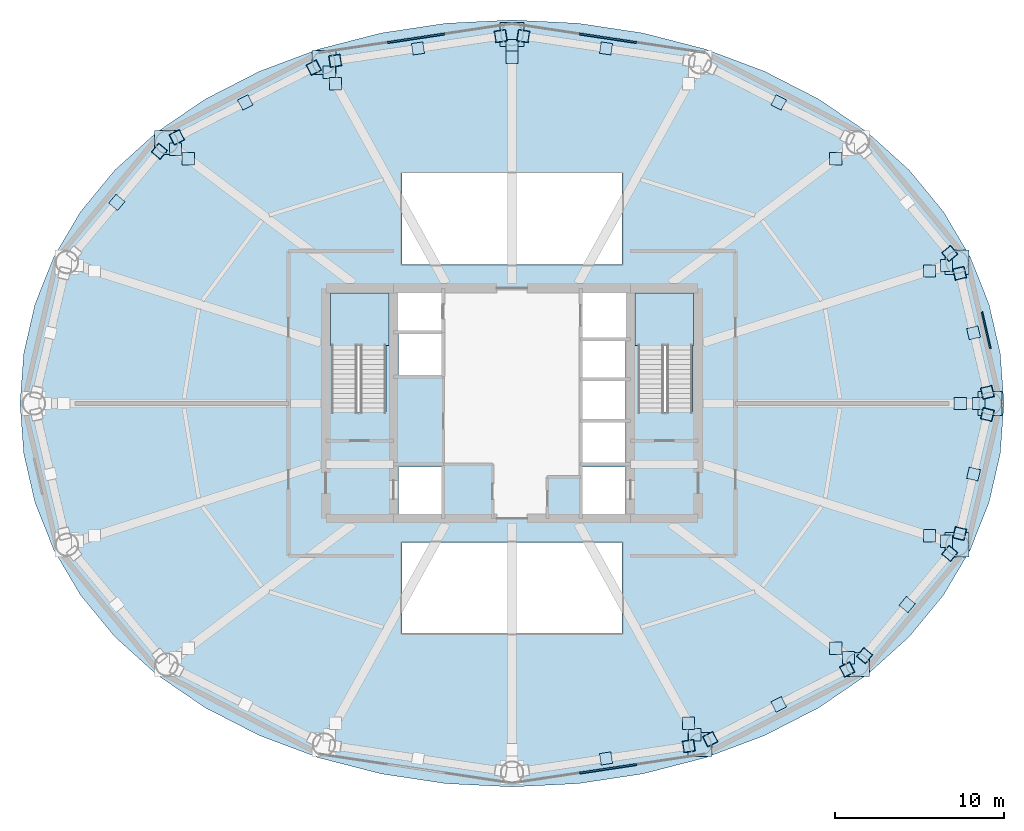
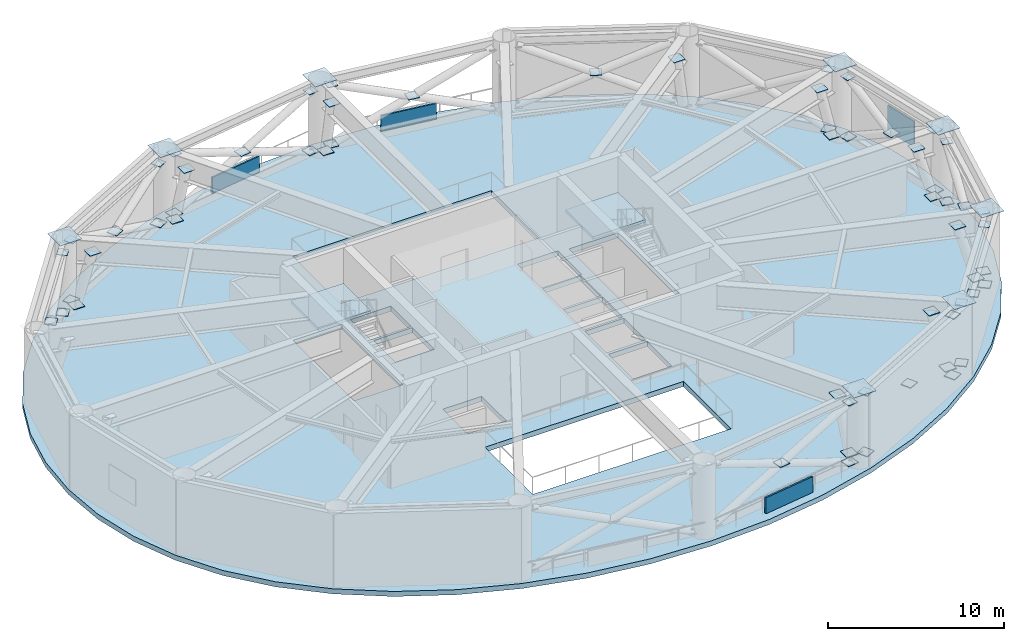
# One storey, part 4 of 8: 71 plates, 3 slabs, 2 elements without a shape of their own.
"""IFC4 building model written with IfcOpenShell, lengths in metres."""

from ifc_helpers import new_model, si_unit, direction, frame, origin, origin_2d, place, context, subcontext, project, spatial, polyline, rectangle, outline, extrude, material, layer, layer_set, type_object, element, aggregate, save


model = new_model("IFC4")

# Units and contexts
model_context = context("Model", 3, precision=1e-05, world=origin(), true_north=direction((0.0, 1.0)))
body_context = subcontext(model_context, "Body", "Model", "MODEL_VIEW")
ifc_project = project(units=[si_unit("LENGTHUNIT", "METRE"), si_unit("AREAUNIT", "SQUARE_METRE"), si_unit("VOLUMEUNIT", "CUBIC_METRE"), si_unit("PLANEANGLEUNIT", "RADIAN"), si_unit("MASSUNIT", "GRAM", prefix="KILO")], contexts=[model_context])

# Site, building, storey
site_placement = place(None, origin())
site = spatial("IfcSite", under=ifc_project, at=site_placement, CompositionType="ELEMENT")
building_placement = place(site_placement, origin())
building = spatial("IfcBuilding", under=site, at=building_placement, Name="Sarneth Arch Tower", CompositionType="ELEMENT")
storey_placement = place(building_placement, frame((0.0, 0.0, 145.199951171875)))
storey = spatial("IfcBuildingStorey", under=building, at=storey_placement, Name="L36", CompositionType="ELEMENT", Elevation=145.199951171875)

# Plates
ifc_material_1 = material(Name="Powder-coated Aluminium 6063-T6 stormproof acoustic louvre", Category="aluminium")
ifc_layer_1 = layer(ifc_material_1, 0.094970703125)
ifc_layer_set_1 = layer_set([ifc_layer_1], Name="Powder-coated Aluminium 6063-T6 stormproof acoustic louvre")
plate_type_1 = type_object("IfcPlateType", Name="LOUVRE-PLANT", PredefinedType="SHEET", material=ifc_layer_set_1)
plate_1_placement = place(storey_placement, frame((76.001220703125, 46.32568359375, 1.6748046875), z_axis=(0.0, 0.0, 1.0), x_axis=(-0.2256312381, 0.974212781888, 0.0)))
element("IfcPlate", 1, at=plate_1_placement, inside=storey, type_object=plate_type_1, Name="L36 Mechanical louvre 01", PredefinedType="SHEET", context=body_context, shape_type="SweptSolid", body=[
    extrude(rectangle(XDim=2.199951171875, YDim=0.094970703125, at=origin_2d()), origin(), (0.0, 0.0, 1.0), 1.800048828125),
])
ifc_material_2 = material(Name="Aerodynamic Aluminium 6063-T6 wind-slot intake louvre", Category="aluminium")
ifc_layer_2 = layer(ifc_material_2, 0.110107421875)
ifc_layer_set_2 = layer_set([ifc_layer_2], Name="Aerodynamic Aluminium 6063-T6 wind-slot intake louvre")
plate_type_2 = type_object("IfcPlateType", Name="LOUVRE-TURBINE", PredefinedType="SHEET", material=ifc_layer_set_2)
for number, where, z_axis, x_axis, name in (
    (2, (53.675537109375, 63.576416015625, 0.0), (0.0, 0.0, 1.0), (-0.988886498745, 0.148672433897, 0.0), "L36 Wind-slot aerodynamic intake louvre 04"),
    (3, (42.324462890625, 63.576416015625, 0.0), (0.0, 0.0, 1.0), (-0.988886498745, -0.148672433897, 0.0), "L36 Wind-slot aerodynamic intake louvre 05"),
    (4, (53.675537109375, 20.423583984375, 0.0), (0.0, 0.0, 1.0), (0.988886498745, 0.148672433897, 0.0), "L36 Wind-slot aerodynamic intake louvre 13"),
):
    element("IfcPlate", number, at=place(storey_placement, frame(where, z_axis=z_axis, x_axis=x_axis)), inside=storey, type_object=plate_type_2, Name=name, PredefinedType="SHEET", context=body_context, shape_type="SweptSolid", body=[
        extrude(rectangle(XDim=3.39990234375, YDim=0.110107421875, at=origin_2d()), origin(), (0.0, 0.0, 1.0), 1.10009765625),
    ])
ifc_material_3 = material(Name="Steel S355", Category="steel")
ifc_layer_3 = layer(ifc_material_3, 0.035888671875)
ifc_layer_set_3 = layer_set([ifc_layer_3], Name="Steel S355")
plate_type_3 = type_object("IfcPlateType", Name="PLT-GUSSET-30", PredefinedType="SHEET", material=ifc_layer_set_3)
plate_2_placement = place(storey_placement, frame((75.263916015625, 46.171142578125, 2.41650390625), z_axis=(0.0, 0.0, 1.0), x_axis=(-0.227161248969, 0.973857159427, 0.0)))
element("IfcPlate", 5, at=plate_2_placement, inside=storey, type_object=plate_type_3, Name="Steel end cap plate GP-1", PredefinedType="SHEET", context=body_context, shape_type="SweptSolid", body=[
    extrude(rectangle(XDim=0.679931640625, YDim=0.679931640625, at=origin_2d()), origin(), (0.0, 0.0, 1.0), 0.035888671875),
])
for number, where, z_axis, x_axis, name in (
    (6, (76.083251953125, 42.657470703125, 0.33203125), (0.0, 0.0, 1.0), (0.227161248969, -0.973857159427, 0.0), "Steel end cap plate GP-1"),
    (7, (74.444580078125, 49.68505859375, 0.33203125), (0.0, 0.0, 1.0), (-0.227161248969, 0.973857159427, 0.0), "Steel end cap plate GP-1"),
):
    element("IfcPlate", number, at=place(storey_placement, frame(where, z_axis=z_axis, x_axis=x_axis)), inside=storey, type_object=plate_type_3, Name=name, PredefinedType="SHEET", context=body_context, shape_type="SweptSolid", body=[
        extrude(rectangle(XDim=0.699951171875, YDim=0.699951171875, at=origin_2d()), origin(), (0.0, 0.0, 1.0), 0.035888671875),
    ])
for number, where, z_axis, x_axis, name in (
    (8, (76.083251953125, 42.657470703125, 4.5009765625), (0.0, 0.0, 1.0), (0.227161248969, -0.973857159427, 0.0), "Steel end cap plate GP-1"),
    (9, (74.444580078125, 49.68505859375, 4.5009765625), (0.0, 0.0, 1.0), (-0.227161248969, 0.973857159427, 0.0), "Steel end cap plate GP-1"),
):
    element("IfcPlate", number, at=place(storey_placement, frame(where, z_axis=z_axis, x_axis=x_axis)), inside=storey, type_object=plate_type_3, Name=name, PredefinedType="SHEET", context=body_context, shape_type="SweptSolid", body=[
        extrude(rectangle(XDim=0.6298828125, YDim=0.6298828125, at=origin_2d()), origin(), (0.0, 0.0, 1.0), 0.035888671875),
    ])
for number, where, z_axis, x_axis, name in (
    (10, (75.58154296875, 42.0, 0.43212890625), (0.0, 0.0, 1.0), (1.0, 0.0, 0.0), "Steel end cap plate GP-1"),
    (11, (74.487060546875, 42.0, 4.224609375), (0.0, 0.0, 1.0), (1.0, 0.0, 0.0), "Steel end cap plate GP-1"),
):
    element("IfcPlate", number, at=place(storey_placement, frame(where, z_axis=z_axis, x_axis=x_axis)), inside=storey, type_object=plate_type_3, Name=name, PredefinedType="SHEET", context=body_context, shape_type="SweptSolid", body=[
        extrude(rectangle(XDim=0.72998046875, YDim=0.72998046875, at=origin_2d()), origin(), (0.0, 0.0, 1.0), 0.035888671875),
    ])
plate_3_placement = place(storey_placement, frame((73.859130859375, 50.861083984375, 0.33203125), z_axis=(0.0, 0.0, 1.0), x_axis=(0.640109699485, -0.768283523594, 0.0)))
element("IfcPlate", 12, at=plate_3_placement, inside=storey, type_object=plate_type_3, Name="Steel end cap plate GP-1", PredefinedType="SHEET", context=body_context, shape_type="SweptSolid", body=[
    extrude(rectangle(XDim=0.699951171875, YDim=0.699951171875, at=origin_2d()), origin(), (0.0, 0.0, 1.0), 0.035888671875),
])
plate_4_placement = place(storey_placement, frame((73.859130859375, 50.861083984375, 4.5009765625), z_axis=(0.0, 0.0, 1.0), x_axis=(0.640109699485, -0.768283523594, 0.0)))
element("IfcPlate", 13, at=plate_4_placement, inside=storey, type_object=plate_type_3, Name="Steel end cap plate GP-1", PredefinedType="SHEET", context=body_context, shape_type="SweptSolid", body=[
    extrude(rectangle(XDim=0.6298828125, YDim=0.6298828125, at=origin_2d()), origin(), (0.0, 0.0, 1.0), 0.035888671875),
])
for number, where, z_axis, x_axis, name in (
    (14, (73.666748046875, 50.14453125, 0.43212890625), (0.0, 0.0, 1.0), (1.0, 0.0, 0.0), "Steel end cap plate GP-1"),
    (15, (72.662109375, 49.825927734375, 4.224609375), (0.0, 0.0, 1.0), (1.0, 0.0, 0.0), "Steel end cap plate GP-1"),
):
    element("IfcPlate", number, at=place(storey_placement, frame(where, z_axis=z_axis, x_axis=x_axis)), inside=storey, type_object=plate_type_3, Name=name, PredefinedType="SHEET", context=body_context, shape_type="SweptSolid", body=[
        extrude(rectangle(XDim=0.72998046875, YDim=0.72998046875, at=origin_2d()), origin(), (0.0, 0.0, 1.0), 0.035888671875),
    ])
plate_5_placement = place(storey_placement, frame((63.75390625, 59.77783203125, 2.41650390625), z_axis=(0.0, 0.0, 1.0), x_axis=(-0.89124411091, 0.453523907604, 0.0)))
element("IfcPlate", 16, at=plate_5_placement, inside=storey, type_object=plate_type_3, Name="Steel end cap plate GP-1", PredefinedType="SHEET", context=body_context, shape_type="SweptSolid", body=[
    extrude(rectangle(XDim=0.679931640625, YDim=0.679931640625, at=origin_2d()), origin(), (0.0, 0.0, 1.0), 0.035888671875),
])
plate_6_placement = place(storey_placement, frame((67.1337890625, 56.46044921875, 4.224609375), z_axis=(0.0, 0.0, 1.0), x_axis=(1.0, 0.0, 0.0)))
element("IfcPlate", 17, at=plate_6_placement, inside=storey, type_object=plate_type_3, Name="Steel end cap plate GP-1", PredefinedType="SHEET", context=body_context, shape_type="SweptSolid", body=[
    extrude(rectangle(XDim=0.72998046875, YDim=0.72998046875, at=origin_2d()), origin(), (0.0, 0.0, 1.0), 0.035888671875),
])
plate_7_placement = place(storey_placement, frame((53.55517578125, 62.97021484375, 2.41650390625), z_axis=(0.0, 0.0, 1.0), x_axis=(-0.989041645907, 0.147636793048, 0.0)))
element("IfcPlate", 18, at=plate_7_placement, inside=storey, type_object=plate_type_3, Name="Steel end cap plate GP-1", PredefinedType="SHEET", context=body_context, shape_type="SweptSolid", body=[
    extrude(rectangle(XDim=0.679931640625, YDim=0.679931640625, at=origin_2d()), origin(), (0.0, 0.0, 1.0), 0.035888671875),
])
plate_8_placement = place(storey_placement, frame((48.66748046875, 63.7001953125, 0.33203125), z_axis=(0.0, 0.0, 1.0), x_axis=(-0.989041645907, 0.147636793048, 0.0)))
element("IfcPlate", 19, at=plate_8_placement, inside=storey, type_object=plate_type_3, Name="Steel end cap plate GP-1", PredefinedType="SHEET", context=body_context, shape_type="SweptSolid", body=[
    extrude(rectangle(XDim=0.699951171875, YDim=0.699951171875, at=origin_2d()), origin(), (0.0, 0.0, 1.0), 0.035888671875),
])
plate_9_placement = place(storey_placement, frame((48.66748046875, 63.7001953125, 4.5009765625), z_axis=(0.0, 0.0, 1.0), x_axis=(-0.989041645907, 0.147636793048, 0.0)))
element("IfcPlate", 20, at=plate_9_placement, inside=storey, type_object=plate_type_3, Name="Steel end cap plate GP-1", PredefinedType="SHEET", context=body_context, shape_type="SweptSolid", body=[
    extrude(rectangle(XDim=0.6298828125, YDim=0.6298828125, at=origin_2d()), origin(), (0.0, 0.0, 1.0), 0.035888671875),
])
plate_10_placement = place(storey_placement, frame((42.44482421875, 62.97021484375, 2.41650390625), z_axis=(0.0, 0.0, 1.0), x_axis=(-0.989041645907, -0.147636793048, 0.0)))
element("IfcPlate", 21, at=plate_10_placement, inside=storey, type_object=plate_type_3, Name="Steel end cap plate GP-1", PredefinedType="SHEET", context=body_context, shape_type="SweptSolid", body=[
    extrude(rectangle(XDim=0.679931640625, YDim=0.679931640625, at=origin_2d()), origin(), (0.0, 0.0, 1.0), 0.035888671875),
])
for number, where, z_axis, x_axis, name in (
    (22, (47.33251953125, 63.7001953125, 0.33203125), (0.0, 0.0, 1.0), (0.989041645907, 0.147636793048, 0.0), "Steel end cap plate GP-1"),
    (23, (37.557373046875, 62.240234375, 0.33203125), (0.0, 0.0, 1.0), (-0.989041645907, -0.147636793048, 0.0), "Steel end cap plate GP-1"),
):
    element("IfcPlate", number, at=place(storey_placement, frame(where, z_axis=z_axis, x_axis=x_axis)), inside=storey, type_object=plate_type_3, Name=name, PredefinedType="SHEET", context=body_context, shape_type="SweptSolid", body=[
        extrude(rectangle(XDim=0.699951171875, YDim=0.699951171875, at=origin_2d()), origin(), (0.0, 0.0, 1.0), 0.035888671875),
    ])
for number, where, z_axis, x_axis, name in (
    (24, (47.33251953125, 63.7001953125, 4.5009765625), (0.0, 0.0, 1.0), (0.989041645907, 0.147636793048, 0.0), "Steel end cap plate GP-1"),
    (25, (37.557373046875, 62.240234375, 4.5009765625), (0.0, 0.0, 1.0), (-0.989041645907, -0.147636793048, 0.0), "Steel end cap plate GP-1"),
):
    element("IfcPlate", number, at=place(storey_placement, frame(where, z_axis=z_axis, x_axis=x_axis)), inside=storey, type_object=plate_type_3, Name=name, PredefinedType="SHEET", context=body_context, shape_type="SweptSolid", body=[
        extrude(rectangle(XDim=0.6298828125, YDim=0.6298828125, at=origin_2d()), origin(), (0.0, 0.0, 1.0), 0.035888671875),
    ])
for number, where, z_axis, x_axis, name in (
    (26, (48.0, 63.14501953125, 0.43212890625), (0.0, 0.0, 1.0), (1.0, 0.0, 0.0), "Steel end cap plate GP-1"),
    (27, (48.0, 62.449951171875, 4.224609375), (0.0, 0.0, 1.0), (1.0, 0.0, 0.0), "Steel end cap plate GP-1"),
):
    element("IfcPlate", number, at=place(storey_placement, frame(where, z_axis=z_axis, x_axis=x_axis)), inside=storey, type_object=plate_type_3, Name=name, PredefinedType="SHEET", context=body_context, shape_type="SweptSolid", body=[
        extrude(rectangle(XDim=0.72998046875, YDim=0.72998046875, at=origin_2d()), origin(), (0.0, 0.0, 1.0), 0.035888671875),
    ])
plate_11_placement = place(storey_placement, frame((32.24609375, 59.77783203125, 2.41650390625), z_axis=(0.0, 0.0, 1.0), x_axis=(-0.89124411091, -0.453523907604, 0.0)))
element("IfcPlate", 28, at=plate_11_placement, inside=storey, type_object=plate_type_3, Name="Steel end cap plate GP-1", PredefinedType="SHEET", context=body_context, shape_type="SweptSolid", body=[
    extrude(rectangle(XDim=0.679931640625, YDim=0.679931640625, at=origin_2d()), origin(), (0.0, 0.0, 1.0), 0.035888671875),
])
for number, where, z_axis, x_axis, name in (
    (29, (36.2880859375, 61.83447265625, 0.33203125), (0.0, 0.0, 1.0), (0.89124411091, 0.453523907604, 0.0), "Steel end cap plate GP-1"),
    (30, (28.203857421875, 57.720947265625, 0.33203125), (0.0, 0.0, 1.0), (-0.89124411091, -0.453523907604, 0.0), "Steel end cap plate GP-1"),
):
    element("IfcPlate", number, at=place(storey_placement, frame(where, z_axis=z_axis, x_axis=x_axis)), inside=storey, type_object=plate_type_3, Name=name, PredefinedType="SHEET", context=body_context, shape_type="SweptSolid", body=[
        extrude(rectangle(XDim=0.699951171875, YDim=0.699951171875, at=origin_2d()), origin(), (0.0, 0.0, 1.0), 0.035888671875),
    ])
for number, where, z_axis, x_axis, name in (
    (31, (36.2880859375, 61.83447265625, 4.5009765625), (0.0, 0.0, 1.0), (0.89124411091, 0.453523907604, 0.0), "Steel end cap plate GP-1"),
    (32, (28.203857421875, 57.720947265625, 4.5009765625), (0.0, 0.0, 1.0), (-0.89124411091, -0.453523907604, 0.0), "Steel end cap plate GP-1"),
):
    element("IfcPlate", number, at=place(storey_placement, frame(where, z_axis=z_axis, x_axis=x_axis)), inside=storey, type_object=plate_type_3, Name=name, PredefinedType="SHEET", context=body_context, shape_type="SweptSolid", body=[
        extrude(rectangle(XDim=0.6298828125, YDim=0.6298828125, at=origin_2d()), origin(), (0.0, 0.0, 1.0), 0.035888671875),
    ])
for number, where, z_axis, x_axis, name in (
    (33, (37.206298828125, 61.567138671875, 0.43212890625), (0.0, 0.0, 1.0), (1.0, 0.0, 0.0), "Steel end cap plate GP-1"),
    (34, (37.578125, 60.893310546875, 4.224609375), (0.0, 0.0, 1.0), (1.0, 0.0, 0.0), "Steel end cap plate GP-1"),
):
    element("IfcPlate", number, at=place(storey_placement, frame(where, z_axis=z_axis, x_axis=x_axis)), inside=storey, type_object=plate_type_3, Name=name, PredefinedType="SHEET", context=body_context, shape_type="SweptSolid", body=[
        extrude(rectangle(XDim=0.72998046875, YDim=0.72998046875, at=origin_2d()), origin(), (0.0, 0.0, 1.0), 0.035888671875),
    ])
plate_12_placement = place(storey_placement, frame((24.655517578125, 53.878662109375, 2.41650390625), z_axis=(0.0, 0.0, 1.0), x_axis=(-0.640109699485, -0.768283523594, 0.0)))
element("IfcPlate", 35, at=plate_12_placement, inside=storey, type_object=plate_type_3, Name="Steel end cap plate GP-1", PredefinedType="SHEET", context=body_context, shape_type="SweptSolid", body=[
    extrude(rectangle(XDim=0.679931640625, YDim=0.679931640625, at=origin_2d()), origin(), (0.0, 0.0, 1.0), 0.035888671875),
])
plate_13_placement = place(storey_placement, frame((27.170166015625, 56.896484375, 0.33203125), z_axis=(0.0, 0.0, 1.0), x_axis=(0.640109699485, 0.768283523594, 0.0)))
element("IfcPlate", 36, at=plate_13_placement, inside=storey, type_object=plate_type_3, Name="Steel end cap plate GP-1", PredefinedType="SHEET", context=body_context, shape_type="SweptSolid", body=[
    extrude(rectangle(XDim=0.699951171875, YDim=0.699951171875, at=origin_2d()), origin(), (0.0, 0.0, 1.0), 0.035888671875),
])
plate_14_placement = place(storey_placement, frame((27.170166015625, 56.896484375, 4.5009765625), z_axis=(0.0, 0.0, 1.0), x_axis=(0.640109699485, 0.768283523594, 0.0)))
element("IfcPlate", 37, at=plate_14_placement, inside=storey, type_object=plate_type_3, Name="Steel end cap plate GP-1", PredefinedType="SHEET", context=body_context, shape_type="SweptSolid", body=[
    extrude(rectangle(XDim=0.6298828125, YDim=0.6298828125, at=origin_2d()), origin(), (0.0, 0.0, 1.0), 0.035888671875),
])
for number, where, z_axis, x_axis, name in (
    (38, (28.125, 57.020263671875, 0.43212890625), (0.0, 0.0, 1.0), (1.0, 0.0, 0.0), "Steel end cap plate GP-1"),
    (39, (28.8662109375, 56.46044921875, 4.224609375), (0.0, 0.0, 1.0), (1.0, 0.0, 0.0), "Steel end cap plate GP-1"),
):
    element("IfcPlate", number, at=place(storey_placement, frame(where, z_axis=z_axis, x_axis=x_axis)), inside=storey, type_object=plate_type_3, Name=name, PredefinedType="SHEET", context=body_context, shape_type="SweptSolid", body=[
        extrude(rectangle(XDim=0.72998046875, YDim=0.72998046875, at=origin_2d()), origin(), (0.0, 0.0, 1.0), 0.035888671875),
    ])
plate_15_placement = place(storey_placement, frame((53.55517578125, 21.02978515625, 2.41650390625), z_axis=(0.0, 0.0, 1.0), x_axis=(0.989041645907, 0.147636793048, 0.0)))
element("IfcPlate", 40, at=plate_15_placement, inside=storey, type_object=plate_type_3, Name="Steel end cap plate GP-1", PredefinedType="SHEET", context=body_context, shape_type="SweptSolid", body=[
    extrude(rectangle(XDim=0.679931640625, YDim=0.679931640625, at=origin_2d()), origin(), (0.0, 0.0, 1.0), 0.035888671875),
])
plate_16_placement = place(storey_placement, frame((58.442626953125, 21.759765625, 0.33203125), z_axis=(0.0, 0.0, 1.0), x_axis=(0.989041645907, 0.147636793048, 0.0)))
element("IfcPlate", 41, at=plate_16_placement, inside=storey, type_object=plate_type_3, Name="Steel end cap plate GP-1", PredefinedType="SHEET", context=body_context, shape_type="SweptSolid", body=[
    extrude(rectangle(XDim=0.699951171875, YDim=0.699951171875, at=origin_2d()), origin(), (0.0, 0.0, 1.0), 0.035888671875),
])
plate_17_placement = place(storey_placement, frame((58.442626953125, 21.759765625, 4.5009765625), z_axis=(0.0, 0.0, 1.0), x_axis=(0.989041645907, 0.147636793048, 0.0)))
element("IfcPlate", 42, at=plate_17_placement, inside=storey, type_object=plate_type_3, Name="Steel end cap plate GP-1", PredefinedType="SHEET", context=body_context, shape_type="SweptSolid", body=[
    extrude(rectangle(XDim=0.6298828125, YDim=0.6298828125, at=origin_2d()), origin(), (0.0, 0.0, 1.0), 0.035888671875),
])
plate_18_placement = place(storey_placement, frame((63.75390625, 24.22216796875, 2.41650390625), z_axis=(0.0, 0.0, 1.0), x_axis=(0.89124411091, 0.453523907604, 0.0)))
element("IfcPlate", 43, at=plate_18_placement, inside=storey, type_object=plate_type_3, Name="Steel end cap plate GP-1", PredefinedType="SHEET", context=body_context, shape_type="SweptSolid", body=[
    extrude(rectangle(XDim=0.679931640625, YDim=0.679931640625, at=origin_2d()), origin(), (0.0, 0.0, 1.0), 0.035888671875),
])
for number, where, z_axis, x_axis, name in (
    (44, (59.7119140625, 22.16552734375, 0.33203125), (0.0, 0.0, 1.0), (-0.89124411091, -0.453523907604, 0.0), "Steel end cap plate GP-1"),
    (45, (67.796142578125, 26.279052734375, 0.33203125), (0.0, 0.0, 1.0), (0.89124411091, 0.453523907604, 0.0), "Steel end cap plate GP-1"),
):
    element("IfcPlate", number, at=place(storey_placement, frame(where, z_axis=z_axis, x_axis=x_axis)), inside=storey, type_object=plate_type_3, Name=name, PredefinedType="SHEET", context=body_context, shape_type="SweptSolid", body=[
        extrude(rectangle(XDim=0.699951171875, YDim=0.699951171875, at=origin_2d()), origin(), (0.0, 0.0, 1.0), 0.035888671875),
    ])
for number, where, z_axis, x_axis, name in (
    (46, (59.7119140625, 22.16552734375, 4.5009765625), (0.0, 0.0, 1.0), (-0.89124411091, -0.453523907604, 0.0), "Steel end cap plate GP-1"),
    (47, (67.796142578125, 26.279052734375, 4.5009765625), (0.0, 0.0, 1.0), (0.89124411091, 0.453523907604, 0.0), "Steel end cap plate GP-1"),
):
    element("IfcPlate", number, at=place(storey_placement, frame(where, z_axis=z_axis, x_axis=x_axis)), inside=storey, type_object=plate_type_3, Name=name, PredefinedType="SHEET", context=body_context, shape_type="SweptSolid", body=[
        extrude(rectangle(XDim=0.6298828125, YDim=0.6298828125, at=origin_2d()), origin(), (0.0, 0.0, 1.0), 0.035888671875),
    ])
for number, where, z_axis, x_axis, name in (
    (48, (58.793701171875, 22.432861328125, 0.43212890625), (0.0, 0.0, 1.0), (1.0, 0.0, 0.0), "Steel end cap plate GP-1"),
    (49, (58.421875, 23.106689453125, 4.224609375), (0.0, 0.0, 1.0), (1.0, 0.0, 0.0), "Steel end cap plate GP-1"),
):
    element("IfcPlate", number, at=place(storey_placement, frame(where, z_axis=z_axis, x_axis=x_axis)), inside=storey, type_object=plate_type_3, Name=name, PredefinedType="SHEET", context=body_context, shape_type="SweptSolid", body=[
        extrude(rectangle(XDim=0.72998046875, YDim=0.72998046875, at=origin_2d()), origin(), (0.0, 0.0, 1.0), 0.035888671875),
    ])
plate_19_placement = place(storey_placement, frame((71.344482421875, 30.121337890625, 2.41650390625), z_axis=(0.0, 0.0, 1.0), x_axis=(0.640109699485, 0.768283523594, 0.0)))
element("IfcPlate", 50, at=plate_19_placement, inside=storey, type_object=plate_type_3, Name="Steel end cap plate GP-1", PredefinedType="SHEET", context=body_context, shape_type="SweptSolid", body=[
    extrude(rectangle(XDim=0.679931640625, YDim=0.679931640625, at=origin_2d()), origin(), (0.0, 0.0, 1.0), 0.035888671875),
])
for number, where, z_axis, x_axis, name in (
    (51, (68.829833984375, 27.103515625, 0.33203125), (0.0, 0.0, 1.0), (-0.640109699485, -0.768283523594, 0.0), "Steel end cap plate GP-1"),
    (52, (73.859130859375, 33.138916015625, 0.33203125), (0.0, 0.0, 1.0), (0.640109699485, 0.768283523594, 0.0), "Steel end cap plate GP-1"),
):
    element("IfcPlate", number, at=place(storey_placement, frame(where, z_axis=z_axis, x_axis=x_axis)), inside=storey, type_object=plate_type_3, Name=name, PredefinedType="SHEET", context=body_context, shape_type="SweptSolid", body=[
        extrude(rectangle(XDim=0.699951171875, YDim=0.699951171875, at=origin_2d()), origin(), (0.0, 0.0, 1.0), 0.035888671875),
    ])
for number, where, z_axis, x_axis, name in (
    (53, (68.829833984375, 27.103515625, 4.5009765625), (0.0, 0.0, 1.0), (-0.640109699485, -0.768283523594, 0.0), "Steel end cap plate GP-1"),
    (54, (73.859130859375, 33.138916015625, 4.5009765625), (0.0, 0.0, 1.0), (0.640109699485, 0.768283523594, 0.0), "Steel end cap plate GP-1"),
):
    element("IfcPlate", number, at=place(storey_placement, frame(where, z_axis=z_axis, x_axis=x_axis)), inside=storey, type_object=plate_type_3, Name=name, PredefinedType="SHEET", context=body_context, shape_type="SweptSolid", body=[
        extrude(rectangle(XDim=0.6298828125, YDim=0.6298828125, at=origin_2d()), origin(), (0.0, 0.0, 1.0), 0.035888671875),
    ])
for number, where, z_axis, x_axis, name in (
    (55, (67.875, 26.979736328125, 0.43212890625), (0.0, 0.0, 1.0), (1.0, 0.0, 0.0), "Steel end cap plate GP-1"),
    (56, (67.1337890625, 27.53955078125, 4.224609375), (0.0, 0.0, 1.0), (1.0, 0.0, 0.0), "Steel end cap plate GP-1"),
):
    element("IfcPlate", number, at=place(storey_placement, frame(where, z_axis=z_axis, x_axis=x_axis)), inside=storey, type_object=plate_type_3, Name=name, PredefinedType="SHEET", context=body_context, shape_type="SweptSolid", body=[
        extrude(rectangle(XDim=0.72998046875, YDim=0.72998046875, at=origin_2d()), origin(), (0.0, 0.0, 1.0), 0.035888671875),
    ])
plate_20_placement = place(storey_placement, frame((75.263916015625, 37.828857421875, 2.41650390625), z_axis=(0.0, 0.0, 1.0), x_axis=(0.227161248969, 0.973857159427, 0.0)))
element("IfcPlate", 57, at=plate_20_placement, inside=storey, type_object=plate_type_3, Name="Steel end cap plate GP-1", PredefinedType="SHEET", context=body_context, shape_type="SweptSolid", body=[
    extrude(rectangle(XDim=0.679931640625, YDim=0.679931640625, at=origin_2d()), origin(), (0.0, 0.0, 1.0), 0.035888671875),
])
for number, where, z_axis, x_axis, name in (
    (58, (74.444580078125, 34.31494140625, 0.33203125), (0.0, 0.0, 1.0), (-0.227161248969, -0.973857159427, 0.0), "Steel end cap plate GP-1"),
    (59, (76.083251953125, 41.342529296875, 0.33203125), (0.0, 0.0, 1.0), (0.227161248969, 0.973857159427, 0.0), "Steel end cap plate GP-1"),
):
    element("IfcPlate", number, at=place(storey_placement, frame(where, z_axis=z_axis, x_axis=x_axis)), inside=storey, type_object=plate_type_3, Name=name, PredefinedType="SHEET", context=body_context, shape_type="SweptSolid", body=[
        extrude(rectangle(XDim=0.699951171875, YDim=0.699951171875, at=origin_2d()), origin(), (0.0, 0.0, 1.0), 0.035888671875),
    ])
for number, where, z_axis, x_axis, name in (
    (60, (74.444580078125, 34.31494140625, 4.5009765625), (0.0, 0.0, 1.0), (-0.227161248969, -0.973857159427, 0.0), "Steel end cap plate GP-1"),
    (61, (76.083251953125, 41.342529296875, 4.5009765625), (0.0, 0.0, 1.0), (0.227161248969, 0.973857159427, 0.0), "Steel end cap plate GP-1"),
):
    element("IfcPlate", number, at=place(storey_placement, frame(where, z_axis=z_axis, x_axis=x_axis)), inside=storey, type_object=plate_type_3, Name=name, PredefinedType="SHEET", context=body_context, shape_type="SweptSolid", body=[
        extrude(rectangle(XDim=0.6298828125, YDim=0.6298828125, at=origin_2d()), origin(), (0.0, 0.0, 1.0), 0.035888671875),
    ])
for number, where, z_axis, x_axis, name in (
    (62, (73.666748046875, 33.85546875, 0.43212890625), (0.0, 0.0, 1.0), (1.0, 0.0, 0.0), "Steel end cap plate GP-1"),
    (63, (72.662109375, 34.174072265625, 4.224609375), (0.0, 0.0, 1.0), (1.0, 0.0, 0.0), "Steel end cap plate GP-1"),
):
    element("IfcPlate", number, at=place(storey_placement, frame(where, z_axis=z_axis, x_axis=x_axis)), inside=storey, type_object=plate_type_3, Name=name, PredefinedType="SHEET", context=body_context, shape_type="SweptSolid", body=[
        extrude(rectangle(XDim=0.72998046875, YDim=0.72998046875, at=origin_2d()), origin(), (0.0, 0.0, 1.0), 0.035888671875),
    ])
ifc_material_4 = material(Name="Steel S355", Category="steel")
ifc_layer_4 = layer(ifc_material_4, 0.0400390625)
ifc_layer_set_4 = layer_set([ifc_layer_4], Name="Steel S355")
plate_type_4 = type_object("IfcPlateType", Name="PLT-SPLICE-40", PredefinedType="SHEET", material=ifc_layer_set_4)
for number, where, z_axis, x_axis, name in (
    (64, (76.236572265625, 42.0, 5.13232421875), (0.0, 0.0, 1.0), (1.0, 0.0, 0.0), "Steel end cap plate GP-2"),
    (65, (74.291259765625, 50.342529296875, 5.13232421875), (0.0, 0.0, 1.0), (1.0, 0.0, 0.0), "Steel end cap plate GP-2"),
    (66, (48.0, 63.800048828125, 5.13232421875), (0.0, 0.0, 1.0), (1.0, 0.0, 0.0), "Steel end cap plate GP-2"),
    (67, (36.8896484375, 62.140625, 5.13232421875), (0.0, 0.0, 1.0), (1.0, 0.0, 0.0), "Steel end cap plate GP-2"),
    (68, (27.602294921875, 57.4150390625, 5.13232421875), (0.0, 0.0, 1.0), (1.0, 0.0, 0.0), "Steel end cap plate GP-2"),
    (69, (59.1103515625, 21.859375, 5.13232421875), (0.0, 0.0, 1.0), (1.0, 0.0, 0.0), "Steel end cap plate GP-2"),
    (70, (68.397705078125, 26.5849609375, 5.13232421875), (0.0, 0.0, 1.0), (1.0, 0.0, 0.0), "Steel end cap plate GP-2"),
    (71, (74.291259765625, 33.657470703125, 5.13232421875), (0.0, 0.0, 1.0), (1.0, 0.0, 0.0), "Steel end cap plate GP-2"),
):
    element("IfcPlate", number, at=place(storey_placement, frame(where, z_axis=z_axis, x_axis=x_axis)), inside=storey, type_object=plate_type_4, Name=name, PredefinedType="SHEET", context=body_context, shape_type="SweptSolid", body=[
        extrude(rectangle(XDim=1.429931640625, YDim=1.429931640625, at=origin_2d()), origin(), (0.0, 0.0, 1.0), 0.035888671875),
    ])

# Stair, slab
ifc_material_5 = material(Name="Concrete C50/60", Category="concrete")
stair_type = type_object("IfcStairType", Name="STAIR-CORE-RC", PredefinedType="HALF_TURN_STAIR", material=ifc_material_5)
stair_1_placement = place(storey_placement, origin())
stair_1 = element("IfcStair", 72, at=stair_1_placement, inside=storey, type_object=stair_type, Name="L36 Core Exit Stair 1", PredefinedType="HALF_TURN_STAIR")
ifc_material_6 = material(Name="Concrete C50/60", Category="concrete")
ifc_layer_5 = layer(ifc_material_6, 0.199951171875)
ifc_layer_set_5 = layer_set([ifc_layer_5], Name="Concrete C50/60")
slab_type_1 = type_object("IfcSlabType", Name="SLAB-LANDING-200", PredefinedType="LANDING", material=ifc_layer_set_5)
slab_1_placement = place(storey_placement, frame((0.0, 0.0, 2.5)))
slab_1 = element("IfcSlab", 73, at=slab_1_placement, type_object=slab_type_1, Name="ST-1 landing 1", PredefinedType="LANDING", context=body_context, shape_type="SweptSolid", body=[
    extrude(outline(polyline([(37.27490234375, 45.409912109375), (40.72509765625, 45.409912109375), (40.72509765625, 48.52490234375), (37.27490234375, 48.52490234375), (37.27490234375, 45.409912109375)])), origin(), (0.0, 0.0, 1.0), 0.199951171875),
])
aggregate(stair_1, [slab_1])

stair_2_placement = place(storey_placement, origin())
stair_2 = element("IfcStair", 74, at=stair_2_placement, inside=storey, type_object=stair_type, Name="L36 Core Exit Stair 2", PredefinedType="HALF_TURN_STAIR")
slab_2_placement = place(storey_placement, frame((0.0, 0.0, 2.5)))
slab_2 = element("IfcSlab", 75, at=slab_2_placement, type_object=slab_type_1, Name="ST-2 landing 1", PredefinedType="LANDING", context=body_context, shape_type="SweptSolid", body=[
    extrude(outline(polyline([(55.27490234375, 45.409912109375), (58.72509765625, 45.409912109375), (58.72509765625, 48.52490234375), (55.27490234375, 48.52490234375), (55.27490234375, 45.409912109375)])), origin(), (0.0, 0.0, 1.0), 0.199951171875),
])
aggregate(stair_2, [slab_2])

# Slab
ifc_material_7 = material(Name="Concrete C60/75", Category="concrete")
ifc_layer_6 = layer(ifc_material_7, 0.35009765625)
ifc_layer_set_6 = layer_set([ifc_layer_6], Name="Concrete C60/75")
slab_type_2 = type_object("IfcSlabType", Name="SLAB-XFER-350", PredefinedType="FLOOR", material=ifc_layer_set_6)
slab_3_placement = place(storey_placement, frame((0.0, 0.0, -0.349853515625)))
element("IfcSlab", 76, at=slab_3_placement, inside=storey, type_object=slab_type_2, Name="L36 Elliptical floor slab", PredefinedType="FLOOR", context=body_context, shape_type="SweptSolid", body=[
    extrude(outline(polyline([(77.062744140625, 42.0), (76.84228515625, 44.956298828125), (76.17724609375, 47.8623046875), (75.060546875, 50.667724609375), (73.486328125, 53.324951171875), (71.458251953125, 55.788330078125), (68.994384765625, 58.015869140625), (66.132080078125, 59.969482421875), (62.923828125, 61.615478515625), (59.435302734375, 62.92578125), (55.73779296875, 63.878173828125), (51.902587890625, 64.456298828125), (48.0, 64.64990234375), (44.097412109375, 64.456298828125), (40.26220703125, 63.878173828125), (36.564697265625, 62.92578125), (33.076171875, 61.615478515625), (29.867919921875, 59.969482421875), (27.005615234375, 58.015869140625), (24.541748046875, 55.788330078125), (22.513671875, 53.324951171875), (20.939453125, 50.667724609375), (19.82275390625, 47.8623046875), (19.15771484375, 44.956298828125), (18.937255859375, 42.0), (19.15771484375, 39.043701171875), (19.82275390625, 36.1376953125), (20.939453125, 33.332275390625), (22.513671875, 30.675048828125), (24.541748046875, 28.211669921875), (27.005615234375, 25.984130859375), (29.867919921875, 24.030517578125), (33.076171875, 22.384521484375), (36.564697265625, 21.07421875), (40.26220703125, 20.121826171875), (44.097412109375, 19.543701171875), (48.0, 19.35009765625), (51.902587890625, 19.543701171875), (55.73779296875, 20.121826171875), (59.435302734375, 21.07421875), (62.923828125, 22.384521484375), (66.132080078125, 24.030517578125), (68.994384765625, 25.984130859375), (71.458251953125, 28.211669921875), (73.486328125, 30.675048828125), (75.060546875, 33.332275390625), (76.17724609375, 36.1376953125), (76.84228515625, 39.043701171875), (77.062744140625, 42.0)]), holes=[polyline([(37.35009765625, 41.489990234375), (40.550048828125, 41.489990234375), (40.550048828125, 48.39990234375), (37.35009765625, 48.39990234375), (37.35009765625, 41.489990234375)]), polyline([(55.449951171875, 41.489990234375), (58.64990234375, 41.489990234375), (58.64990234375, 48.39990234375), (55.449951171875, 48.39990234375), (55.449951171875, 41.489990234375)]), polyline([(41.199951171875, 46.25), (43.85009765625, 46.25), (43.85009765625, 48.550048828125), (41.199951171875, 48.550048828125), (41.199951171875, 46.25)]), polyline([(41.300048828125, 35.449951171875), (43.85009765625, 35.449951171875), (43.85009765625, 38.25), (41.300048828125, 38.25), (41.300048828125, 35.449951171875)]), polyline([(52.14990234375, 35.449951171875), (54.699951171875, 35.449951171875), (54.699951171875, 38.25), (52.14990234375, 38.25), (52.14990234375, 35.449951171875)]), polyline([(52.14990234375, 45.85009765625), (54.800048828125, 45.85009765625), (54.800048828125, 48.550048828125), (52.14990234375, 48.550048828125), (52.14990234375, 45.85009765625)]), polyline([(41.300048828125, 43.64990234375), (43.85009765625, 43.64990234375), (43.85009765625, 46.10009765625), (41.300048828125, 46.10009765625), (41.300048828125, 43.64990234375)]), polyline([(52.14990234375, 38.449951171875), (54.699951171875, 38.449951171875), (54.699951171875, 40.89990234375), (52.14990234375, 40.89990234375), (52.14990234375, 38.449951171875)]), polyline([(52.14990234375, 41.050048828125), (54.699951171875, 41.050048828125), (54.699951171875, 43.35009765625), (52.14990234375, 43.35009765625), (52.14990234375, 41.050048828125)]), polyline([(52.14990234375, 43.5), (54.699951171875, 43.5), (54.699951171875, 45.75), (52.14990234375, 45.75), (52.14990234375, 43.5)]), polyline([(41.5, 50.199951171875), (54.5, 50.199951171875), (54.5, 55.60009765625), (41.5, 55.60009765625), (41.5, 50.199951171875)]), polyline([(41.5, 28.39990234375), (54.5, 28.39990234375), (54.5, 33.800048828125), (41.5, 33.800048828125), (41.5, 28.39990234375)])]), origin(), (0.0, 0.0, 1.0), 0.349853515625),
])

save(model, "model.ifc")
